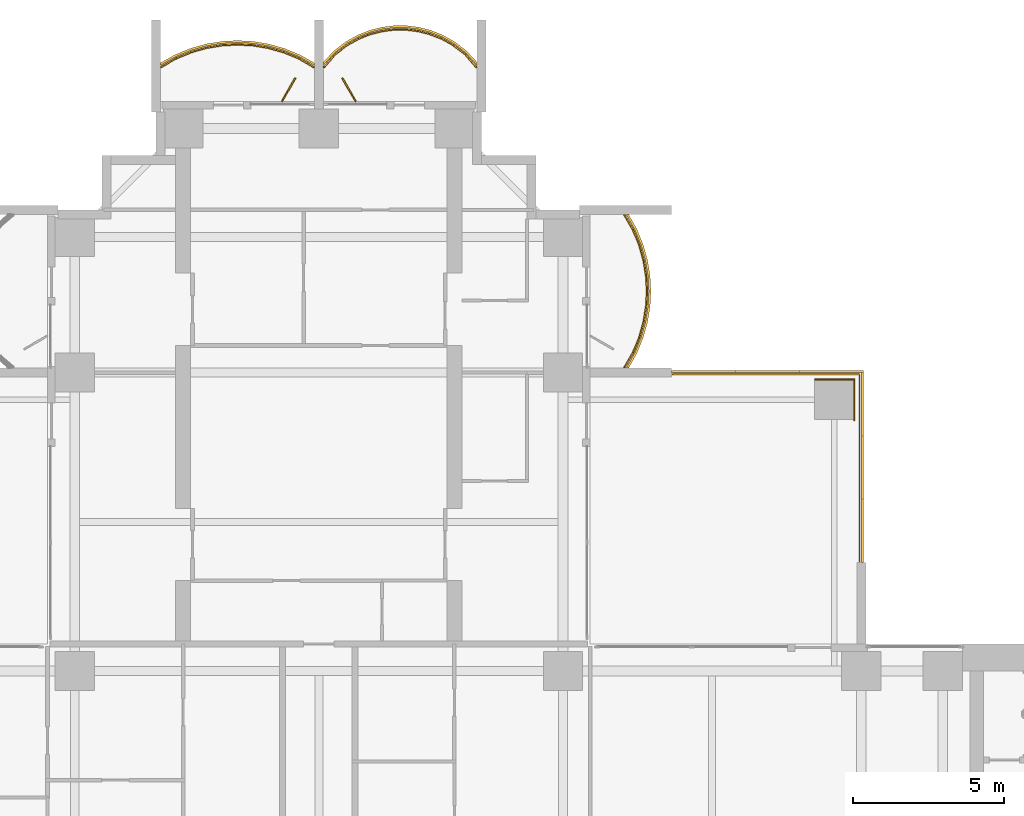
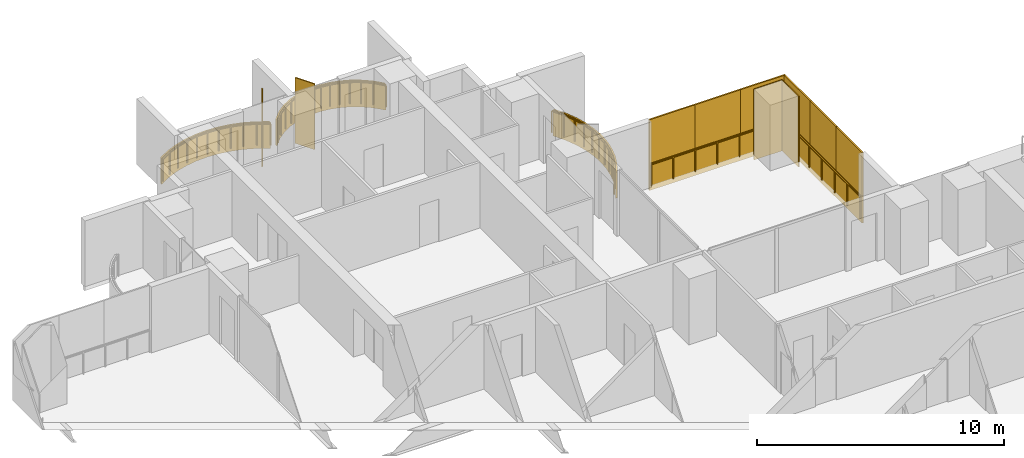
# One storey, part 21 of 21: 12 coverings, 4 railings, 2 shading devices.
"""IFC4 building model written with IfcOpenShell, lengths in metres."""

from ifc_helpers import new_model, si_unit, direction, frame, origin, origin_2d, place, context, subcontext, project, spatial, polyline, rectangle, outline, extrude, material, layer, layer_set, type_object, element, save


model = new_model("IFC4")

# Units and contexts
model_context = context("Model", 3, precision=1e-05, world=origin(), true_north=direction((0.0, 1.0)))
body_context = subcontext(model_context, "Body", "Model", "MODEL_VIEW")
ifc_project = project(units=[si_unit("LENGTHUNIT", "METRE"), si_unit("AREAUNIT", "SQUARE_METRE"), si_unit("VOLUMEUNIT", "CUBIC_METRE"), si_unit("PLANEANGLEUNIT", "RADIAN"), si_unit("MASSUNIT", "GRAM", prefix="KILO")], contexts=[model_context])

# Site, building, storey
site_placement = place(None, origin())
site = spatial("IfcSite", under=ifc_project, at=site_placement, CompositionType="ELEMENT")
building_placement = place(site_placement, origin())
building = spatial("IfcBuilding", under=site, at=building_placement, Name="Perihelion Cross Residences", CompositionType="ELEMENT")
storey_placement = place(building_placement, frame((0.0, 0.0, 40.0)))
storey = spatial("IfcBuildingStorey", under=building, at=storey_placement, Name="L06", CompositionType="ELEMENT", Elevation=40.0)

# Coverings
ifc_material_1 = material(Name="Bronze anodised aluminium", Category="aluminium")
ifc_layer_1 = layer(ifc_material_1, 0.070068359375)
ifc_layer_set_1 = layer_set([ifc_layer_1], Name="Balcony fascia 1300")
covering_type_1 = type_object("IfcCoveringType", Name="Balcony fascia 1300", PredefinedType="CLADDING", material=ifc_layer_set_1)
covering_1_placement = place(storey_placement, frame((0.0, 0.0, -0.199951171875)))
element("IfcCovering", 1, at=covering_1_placement, inside=storey, type_object=covering_type_1, Name="Fascia BF1 L06 north side east bay 2", PredefinedType="CLADDING", context=body_context, shape_type="SweptSolid", body=[
    extrude(outline(polyline([(10.54833984375, 18.629638671875), (10.7607421875, 19.147216796875), (10.906494140625, 19.664794921875), (10.991943359375, 20.182373046875), (11.02001953125, 20.699951171875), (10.991943359375, 21.217529296875), (10.906494140625, 21.735107421875), (10.7607421875, 22.2529296875), (10.54833984375, 22.7705078125), (10.2802734375, 23.25), (10.199951171875, 23.25), (10.4853515625, 22.739990234375), (10.694580078125, 22.22998046875), (10.838134765625, 21.719970703125), (10.92236328125, 21.2099609375), (10.949951171875, 20.699951171875), (10.92236328125, 20.18994140625), (10.838134765625, 19.679931640625), (10.694580078125, 19.169921875), (10.4853515625, 18.659912109375), (10.199951171875, 18.14990234375), (10.2802734375, 18.14990234375), (10.54833984375, 18.629638671875)])), origin(), (0.0, 0.0, 1.0), 1.300048828125),
])
covering_2_placement = place(storey_placement, frame((0.0, 0.0, -0.199951171875)))
element("IfcCovering", 2, at=covering_2_placement, inside=storey, type_object=covering_type_1, Name="Fascia BF1 L06 north tip north bay 1", PredefinedType="CLADDING", context=body_context, shape_type="SweptSolid", body=[
    extrude(outline(polyline([(4.90478515625, 28.674072265625), (4.50390625, 28.982666015625), (4.10302734375, 29.20654296875), (3.7021484375, 29.364013671875), (3.30126953125, 29.464599609375), (2.900390625, 29.513916015625), (2.49951171875, 29.513916015625), (2.0986328125, 29.464599609375), (1.69775390625, 29.364013671875), (1.296875, 29.20654296875), (0.89599609375, 28.982666015625), (0.4951171875, 28.674072265625), (0.14990234375, 28.302734375), (0.14990234375, 28.199951171875), (0.542236328125, 28.622314453125), (0.9345703125, 28.924072265625), (1.326904296875, 29.143310546875), (1.71923828125, 29.29736328125), (2.111572265625, 29.39599609375), (2.50390625, 29.444091796875), (2.896240234375, 29.444091796875), (3.28857421875, 29.39599609375), (3.6806640625, 29.29736328125), (4.072998046875, 29.143310546875), (4.46533203125, 28.924072265625), (4.857666015625, 28.622314453125), (5.25, 28.199951171875), (5.25, 28.302734375), (4.90478515625, 28.674072265625)])), origin(), (0.0, 0.0, 1.0), 1.300048828125),
])
covering_3_placement = place(storey_placement, frame((0.0, 0.0, -0.199951171875)))
element("IfcCovering", 3, at=covering_3_placement, inside=storey, type_object=covering_type_1, Name="Fascia BF1 L06 north tip north bay 2", PredefinedType="CLADDING", context=body_context, shape_type="SweptSolid", body=[
    extrude(outline(polyline([(-0.629638671875, 28.54833984375), (-1.147216796875, 28.7607421875), (-1.664794921875, 28.906494140625), (-2.182373046875, 28.991943359375), (-2.699951171875, 29.02001953125), (-3.217529296875, 28.991943359375), (-3.735107421875, 28.906494140625), (-4.2529296875, 28.7607421875), (-4.7705078125, 28.54833984375), (-5.25, 28.2802734375), (-5.25, 28.199951171875), (-4.739990234375, 28.4853515625), (-4.22998046875, 28.694580078125), (-3.719970703125, 28.838134765625), (-3.2099609375, 28.92236328125), (-2.699951171875, 28.949951171875), (-2.18994140625, 28.92236328125), (-1.679931640625, 28.838134765625), (-1.169921875, 28.694580078125), (-0.659912109375, 28.4853515625), (-0.14990234375, 28.199951171875), (-0.14990234375, 28.2802734375), (-0.629638671875, 28.54833984375)])), origin(), (0.0, 0.0, 1.0), 1.300048828125),
])

# Railings
ifc_material_2 = material(Name="Bronze anodised aluminium", Category="aluminium")
railing_type = type_object("IfcRailingType", Name="Balcony guard 1100", PredefinedType="GUARDRAIL", material=ifc_material_2)
railing_1_placement = place(storey_placement, frame((10.139892578125, 18.175048828125, 0.0)))
element("IfcRailing", 4, at=railing_1_placement, inside=storey, type_object=railing_type, Name="Guard GU1 L06 north side east bay 2 balcony", PredefinedType="GUARDRAIL", context=body_context, shape_type="SweptSolid", body=[
    extrude(rectangle(XDim=0.048095703125, YDim=0.048095703125, at=origin_2d()), frame((0.0, 0.0, 1.076171875), z_axis=(0.507266632806, 0.861789164031, 0.0), x_axis=(-0.861789164031, 0.507266632806, 0.0)), (0.0, 0.0, 1.0), 0.562744140625),
    extrude(rectangle(XDim=0.048095703125, YDim=0.048095703125, at=origin_2d()), frame((0.285400390625, 0.48486328125, 1.076171875), z_axis=(0.379546636342, 0.925172605972, 0.0), x_axis=(-0.925172605972, 0.379546636342, 0.0)), (0.0, 0.0, 1.0), 0.55126953125),
    extrude(rectangle(XDim=0.048095703125, YDim=0.048095703125, at=origin_2d()), frame((0.49462890625, 0.994873046875, 1.076171875), z_axis=(0.271372618732, 0.962474364231, 0.0), x_axis=(-0.962474364231, 0.271372618732, 0.0)), (0.0, 0.0, 1.0), 0.52978515625),
    extrude(rectangle(XDim=0.048095703125, YDim=0.048095703125, at=origin_2d()), frame((0.638427734375, 1.5048828125, 1.076171875), z_axis=(0.162483799314, 0.986711211531, 0.0), x_axis=(-0.986711211531, 0.162483799314, 0.0)), (0.0, 0.0, 1.0), 0.516845703125),
    extrude(rectangle(XDim=0.048095703125, YDim=0.048095703125, at=origin_2d()), frame((0.722412109375, 2.014892578125, 1.076171875), z_axis=(0.05401390175, 0.998540183677, 0.0), x_axis=(-0.998540183677, 0.05401390175, 0.0)), (0.0, 0.0, 1.0), 0.5107421875),
    extrude(rectangle(XDim=0.048095703125, YDim=0.048095703125, at=origin_2d()), frame((0.75, 2.52490234375, 1.076171875), z_axis=(-0.05401390175, 0.998540183677, 0.0), x_axis=(-0.998540183677, -0.05401390175, 0.0)), (0.0, 0.0, 1.0), 0.5107421875),
    extrude(rectangle(XDim=0.048095703125, YDim=0.048095703125, at=origin_2d()), frame((0.722412109375, 3.034912109375, 1.076171875), z_axis=(-0.162483799314, 0.986711211531, 0.0), x_axis=(-0.986711211531, -0.162483799314, 0.0)), (0.0, 0.0, 1.0), 0.516845703125),
    extrude(rectangle(XDim=0.048095703125, YDim=0.048095703125, at=origin_2d()), frame((0.638427734375, 3.544921875, 1.076171875), z_axis=(-0.271372618732, 0.962474364231, 0.0), x_axis=(-0.962474364231, -0.271372618732, 0.0)), (0.0, 0.0, 1.0), 0.52978515625),
    extrude(rectangle(XDim=0.048095703125, YDim=0.048095703125, at=origin_2d()), frame((0.49462890625, 4.054931640625, 1.076171875), z_axis=(-0.379546636342, 0.925172605972, 0.0), x_axis=(-0.925172605972, -0.379546636342, 0.0)), (0.0, 0.0, 1.0), 0.55126953125),
    extrude(rectangle(XDim=0.048095703125, YDim=0.048095703125, at=origin_2d()), frame((0.285400390625, 4.56494140625, 1.076171875), z_axis=(-0.507076995033, 0.861900760591, 0.0), x_axis=(-0.861900760591, -0.507076995033, 0.0)), (0.0, 0.0, 1.0), 0.562744140625),
    extrude(rectangle(XDim=0.0419921875, YDim=0.0419921875, at=origin_2d()), origin(), (0.0, 0.0, 1.0), 1.052001953125),
    extrude(rectangle(XDim=0.0419921875, YDim=0.0419921875, at=origin_2d()), frame((0.285400390625, 0.48486328125, 0.0)), (0.0, 0.0, 1.0), 1.052001953125),
    extrude(rectangle(XDim=0.0419921875, YDim=0.0419921875, at=origin_2d()), frame((0.49462890625, 0.994873046875, 0.0)), (0.0, 0.0, 1.0), 1.052001953125),
    extrude(rectangle(XDim=0.0419921875, YDim=0.0419921875, at=origin_2d()), frame((0.638427734375, 1.5048828125, 0.0)), (0.0, 0.0, 1.0), 1.052001953125),
    extrude(rectangle(XDim=0.0419921875, YDim=0.0419921875, at=origin_2d()), frame((0.722412109375, 2.014892578125, 0.0)), (0.0, 0.0, 1.0), 1.052001953125),
    extrude(rectangle(XDim=0.0419921875, YDim=0.0419921875, at=origin_2d()), frame((0.75, 2.52490234375, 0.0)), (0.0, 0.0, 1.0), 1.052001953125),
    extrude(rectangle(XDim=0.0419921875, YDim=0.0419921875, at=origin_2d()), frame((0.722412109375, 3.034912109375, 0.0)), (0.0, 0.0, 1.0), 1.052001953125),
    extrude(rectangle(XDim=0.0419921875, YDim=0.0419921875, at=origin_2d()), frame((0.638427734375, 3.544921875, 0.0)), (0.0, 0.0, 1.0), 1.052001953125),
    extrude(rectangle(XDim=0.0419921875, YDim=0.0419921875, at=origin_2d()), frame((0.49462890625, 4.054931640625, 0.0)), (0.0, 0.0, 1.0), 1.052001953125),
    extrude(rectangle(XDim=0.0419921875, YDim=0.0419921875, at=origin_2d()), frame((0.285400390625, 4.56494140625, 0.0)), (0.0, 0.0, 1.0), 1.052001953125),
    extrude(rectangle(XDim=0.0419921875, YDim=0.0419921875, at=origin_2d()), frame((0.0, 5.050048828125, 0.0)), (0.0, 0.0, 1.0), 1.052001953125),
])
railing_2_placement = place(storey_placement, frame((5.22509765625, 28.139892578125, 0.0)))
element("IfcRailing", 5, at=railing_2_placement, inside=storey, type_object=railing_type, Name="Guard GU1 L06 north tip north bay 1 balcony", PredefinedType="GUARDRAIL", context=body_context, shape_type="SweptSolid", body=[
    extrude(rectangle(XDim=0.048095703125, YDim=0.048095703125, at=origin_2d()), frame((0.0, 0.0, 1.076171875), z_axis=(-0.656340655493, 0.754464673757, 0.0), x_axis=(-0.754464673757, -0.656340655493, 0.0)), (0.0, 0.0, 1.0), 0.559814453125),
    extrude(rectangle(XDim=0.048095703125, YDim=0.048095703125, at=origin_2d()), frame((-0.367431640625, 0.42236328125, 1.076171875), z_axis=(-0.792660660899, 0.60966308455, 0.0), x_axis=(-0.60966308455, -0.792660660899, 0.0)), (0.0, 0.0, 1.0), 0.494873046875),
    extrude(rectangle(XDim=0.048095703125, YDim=0.048095703125, at=origin_2d()), frame((-0.759765625, 0.72412109375, 1.076171875), z_axis=(-0.872950285698, 0.487809182674, 0.0), x_axis=(-0.487809182674, -0.872950285698, 0.0)), (0.0, 0.0, 1.0), 0.449462890625),
    extrude(rectangle(XDim=0.048095703125, YDim=0.048095703125, at=origin_2d()), frame((-1.152099609375, 0.943359375, 1.076171875), z_axis=(-0.930814842219, 0.365491079925, 0.0), x_axis=(-0.365491079925, -0.930814842219, 0.0)), (0.0, 0.0, 1.0), 0.42138671875),
    extrude(rectangle(XDim=0.048095703125, YDim=0.048095703125, at=origin_2d()), frame((-1.54443359375, 1.097412109375, 1.076171875), z_axis=(-0.969786252666, 0.243956193074, 0.0), x_axis=(-0.243956193074, -0.969786252666, 0.0)), (0.0, 0.0, 1.0), 0.404296875),
    extrude(rectangle(XDim=0.048095703125, YDim=0.048095703125, at=origin_2d()), frame((-1.9365234375, 1.196044921875, 1.076171875), z_axis=(-0.992569651699, 0.121677797999, 0.0), x_axis=(-0.121677797999, -0.992569651699, 0.0)), (0.0, 0.0, 1.0), 0.395263671875),
    extrude(rectangle(XDim=0.048095703125, YDim=0.048095703125, at=origin_2d()), frame((-2.328857421875, 1.244140625, 1.076171875), z_axis=(-1.0, 0.0, 0.0), x_axis=(0.0, -1.0, 0.0)), (0.0, 0.0, 1.0), 0.392333984375),
    extrude(rectangle(XDim=0.048095703125, YDim=0.048095703125, at=origin_2d()), frame((-2.72119140625, 1.244140625, 1.076171875), z_axis=(-0.992569651699, -0.121677797999, 0.0), x_axis=(0.121677797999, -0.992569651699, 0.0)), (0.0, 0.0, 1.0), 0.395263671875),
    extrude(rectangle(XDim=0.048095703125, YDim=0.048095703125, at=origin_2d()), frame((-3.113525390625, 1.196044921875, 1.076171875), z_axis=(-0.969822159145, -0.243813411509, 0.0), x_axis=(0.243813411509, -0.969822159145, 0.0)), (0.0, 0.0, 1.0), 0.404541015625),
    extrude(rectangle(XDim=0.048095703125, YDim=0.048095703125, at=origin_2d()), frame((-3.505859375, 1.097412109375, 1.076171875), z_axis=(-0.930814842219, -0.365491079925, 0.0), x_axis=(0.365491079925, -0.930814842219, 0.0)), (0.0, 0.0, 1.0), 0.42138671875),
    extrude(rectangle(XDim=0.048095703125, YDim=0.048095703125, at=origin_2d()), frame((-3.898193359375, 0.943359375, 1.076171875), z_axis=(-0.872950285698, -0.487809182674, 0.0), x_axis=(0.487809182674, -0.872950285698, 0.0)), (0.0, 0.0, 1.0), 0.449462890625),
    extrude(rectangle(XDim=0.048095703125, YDim=0.048095703125, at=origin_2d()), frame((-4.29052734375, 0.72412109375, 1.076171875), z_axis=(-0.792660660899, -0.60966308455, 0.0), x_axis=(0.60966308455, -0.792660660899, 0.0)), (0.0, 0.0, 1.0), 0.494873046875),
    extrude(rectangle(XDim=0.048095703125, YDim=0.048095703125, at=origin_2d()), frame((-4.682861328125, 0.42236328125, 1.076171875), z_axis=(-0.656092309534, -0.754680648599, 0.0), x_axis=(0.754680648599, -0.656092309534, 0.0)), (0.0, 0.0, 1.0), 0.5595703125),
    extrude(rectangle(XDim=0.0419921875, YDim=0.0419921875, at=origin_2d()), origin(), (0.0, 0.0, 1.0), 1.052001953125),
    extrude(rectangle(XDim=0.0419921875, YDim=0.0419921875, at=origin_2d()), frame((-0.367431640625, 0.42236328125, 0.0)), (0.0, 0.0, 1.0), 1.052001953125),
    extrude(rectangle(XDim=0.0419921875, YDim=0.0419921875, at=origin_2d()), frame((-0.759765625, 0.72412109375, 0.0)), (0.0, 0.0, 1.0), 1.052001953125),
    extrude(rectangle(XDim=0.0419921875, YDim=0.0419921875, at=origin_2d()), frame((-1.152099609375, 0.943359375, 0.0)), (0.0, 0.0, 1.0), 1.052001953125),
    extrude(rectangle(XDim=0.0419921875, YDim=0.0419921875, at=origin_2d()), frame((-1.54443359375, 1.097412109375, 0.0)), (0.0, 0.0, 1.0), 1.052001953125),
    extrude(rectangle(XDim=0.0419921875, YDim=0.0419921875, at=origin_2d()), frame((-1.9365234375, 1.196044921875, 0.0)), (0.0, 0.0, 1.0), 1.052001953125),
    extrude(rectangle(XDim=0.0419921875, YDim=0.0419921875, at=origin_2d()), frame((-2.328857421875, 1.244140625, 0.0)), (0.0, 0.0, 1.0), 1.052001953125),
    extrude(rectangle(XDim=0.0419921875, YDim=0.0419921875, at=origin_2d()), frame((-2.72119140625, 1.244140625, 0.0)), (0.0, 0.0, 1.0), 1.052001953125),
    extrude(rectangle(XDim=0.0419921875, YDim=0.0419921875, at=origin_2d()), frame((-3.113525390625, 1.196044921875, 0.0)), (0.0, 0.0, 1.0), 1.052001953125),
    extrude(rectangle(XDim=0.0419921875, YDim=0.0419921875, at=origin_2d()), frame((-3.505859375, 1.097412109375, 0.0)), (0.0, 0.0, 1.0), 1.052001953125),
    extrude(rectangle(XDim=0.0419921875, YDim=0.0419921875, at=origin_2d()), frame((-3.898193359375, 0.943359375, 0.0)), (0.0, 0.0, 1.0), 1.052001953125),
    extrude(rectangle(XDim=0.0419921875, YDim=0.0419921875, at=origin_2d()), frame((-4.29052734375, 0.72412109375, 0.0)), (0.0, 0.0, 1.0), 1.052001953125),
    extrude(rectangle(XDim=0.0419921875, YDim=0.0419921875, at=origin_2d()), frame((-4.682861328125, 0.42236328125, 0.0)), (0.0, 0.0, 1.0), 1.052001953125),
    extrude(rectangle(XDim=0.0419921875, YDim=0.0419921875, at=origin_2d()), frame((-5.050048828125, 0.0, 0.0)), (0.0, 0.0, 1.0), 1.052001953125),
])
railing_3_placement = place(storey_placement, frame((-0.175048828125, 28.139892578125, 0.0)))
element("IfcRailing", 6, at=railing_3_placement, inside=storey, type_object=railing_type, Name="Guard GU1 L06 north tip north bay 2 balcony", PredefinedType="GUARDRAIL", context=body_context, shape_type="SweptSolid", body=[
    extrude(rectangle(XDim=0.048095703125, YDim=0.048095703125, at=origin_2d()), frame((0.0, 0.0, 1.076171875), z_axis=(-0.861789164031, 0.507266632806, 0.0), x_axis=(-0.507266632806, -0.861789164031, 0.0)), (0.0, 0.0, 1.0), 0.562744140625),
    extrude(rectangle(XDim=0.048095703125, YDim=0.048095703125, at=origin_2d()), frame((-0.48486328125, 0.285400390625, 1.076171875), z_axis=(-0.925172605972, 0.379546636342, 0.0), x_axis=(-0.379546636342, -0.925172605972, 0.0)), (0.0, 0.0, 1.0), 0.55126953125),
    extrude(rectangle(XDim=0.048095703125, YDim=0.048095703125, at=origin_2d()), frame((-0.994873046875, 0.49462890625, 1.076171875), z_axis=(-0.962474364231, 0.271372618732, 0.0), x_axis=(-0.271372618732, -0.962474364231, 0.0)), (0.0, 0.0, 1.0), 0.52978515625),
    extrude(rectangle(XDim=0.048095703125, YDim=0.048095703125, at=origin_2d()), frame((-1.5048828125, 0.638427734375, 1.076171875), z_axis=(-0.986711211531, 0.162483799314, 0.0), x_axis=(-0.162483799314, -0.986711211531, 0.0)), (0.0, 0.0, 1.0), 0.516845703125),
    extrude(rectangle(XDim=0.048095703125, YDim=0.048095703125, at=origin_2d()), frame((-2.014892578125, 0.722412109375, 1.076171875), z_axis=(-0.998540183677, 0.05401390175, 0.0), x_axis=(-0.05401390175, -0.998540183677, 0.0)), (0.0, 0.0, 1.0), 0.5107421875),
    extrude(rectangle(XDim=0.048095703125, YDim=0.048095703125, at=origin_2d()), frame((-2.52490234375, 0.75, 1.076171875), z_axis=(-0.998540183677, -0.05401390175, 0.0), x_axis=(0.05401390175, -0.998540183677, 0.0)), (0.0, 0.0, 1.0), 0.5107421875),
    extrude(rectangle(XDim=0.048095703125, YDim=0.048095703125, at=origin_2d()), frame((-3.034912109375, 0.722412109375, 1.076171875), z_axis=(-0.986711211531, -0.162483799314, 0.0), x_axis=(0.162483799314, -0.986711211531, 0.0)), (0.0, 0.0, 1.0), 0.516845703125),
    extrude(rectangle(XDim=0.048095703125, YDim=0.048095703125, at=origin_2d()), frame((-3.544921875, 0.638427734375, 1.076171875), z_axis=(-0.962474364231, -0.271372618732, 0.0), x_axis=(0.271372618732, -0.962474364231, 0.0)), (0.0, 0.0, 1.0), 0.52978515625),
    extrude(rectangle(XDim=0.048095703125, YDim=0.048095703125, at=origin_2d()), frame((-4.054931640625, 0.49462890625, 1.076171875), z_axis=(-0.925172605972, -0.379546636342, 0.0), x_axis=(0.379546636342, -0.925172605972, 0.0)), (0.0, 0.0, 1.0), 0.55126953125),
    extrude(rectangle(XDim=0.048095703125, YDim=0.048095703125, at=origin_2d()), frame((-4.56494140625, 0.285400390625, 1.076171875), z_axis=(-0.861900760591, -0.507076995033, 0.0), x_axis=(0.507076995033, -0.861900760591, 0.0)), (0.0, 0.0, 1.0), 0.562744140625),
    extrude(rectangle(XDim=0.0419921875, YDim=0.0419921875, at=origin_2d()), origin(), (0.0, 0.0, 1.0), 1.052001953125),
    extrude(rectangle(XDim=0.0419921875, YDim=0.0419921875, at=origin_2d()), frame((-0.48486328125, 0.285400390625, 0.0)), (0.0, 0.0, 1.0), 1.052001953125),
    extrude(rectangle(XDim=0.0419921875, YDim=0.0419921875, at=origin_2d()), frame((-0.994873046875, 0.49462890625, 0.0)), (0.0, 0.0, 1.0), 1.052001953125),
    extrude(rectangle(XDim=0.0419921875, YDim=0.0419921875, at=origin_2d()), frame((-1.5048828125, 0.638427734375, 0.0)), (0.0, 0.0, 1.0), 1.052001953125),
    extrude(rectangle(XDim=0.0419921875, YDim=0.0419921875, at=origin_2d()), frame((-2.014892578125, 0.722412109375, 0.0)), (0.0, 0.0, 1.0), 1.052001953125),
    extrude(rectangle(XDim=0.0419921875, YDim=0.0419921875, at=origin_2d()), frame((-2.52490234375, 0.75, 0.0)), (0.0, 0.0, 1.0), 1.052001953125),
    extrude(rectangle(XDim=0.0419921875, YDim=0.0419921875, at=origin_2d()), frame((-3.034912109375, 0.722412109375, 0.0)), (0.0, 0.0, 1.0), 1.052001953125),
    extrude(rectangle(XDim=0.0419921875, YDim=0.0419921875, at=origin_2d()), frame((-3.544921875, 0.638427734375, 0.0)), (0.0, 0.0, 1.0), 1.052001953125),
    extrude(rectangle(XDim=0.0419921875, YDim=0.0419921875, at=origin_2d()), frame((-4.054931640625, 0.49462890625, 0.0)), (0.0, 0.0, 1.0), 1.052001953125),
    extrude(rectangle(XDim=0.0419921875, YDim=0.0419921875, at=origin_2d()), frame((-4.56494140625, 0.285400390625, 0.0)), (0.0, 0.0, 1.0), 1.052001953125),
    extrude(rectangle(XDim=0.0419921875, YDim=0.0419921875, at=origin_2d()), frame((-5.050048828125, 0.0, 0.0)), (0.0, 0.0, 1.0), 1.052001953125),
])
railing_4_placement = place(storey_placement, frame((11.739990234375, 17.93994140625, 0.0)))
element("IfcRailing", 7, at=railing_4_placement, inside=storey, type_object=railing_type, Name="Guard GU1 L06 pocket north-east 1", PredefinedType="GUARDRAIL", context=body_context, shape_type="SweptSolid", body=[
    extrude(rectangle(XDim=0.048095703125, YDim=0.048095703125, at=origin_2d()), frame((0.0, 0.0, 1.076171875), z_axis=(1.0, 0.0, 0.0), x_axis=(0.0, 1.0, 0.0)), (0.0, 0.0, 1.0), 6.199951171875),
    extrude(rectangle(XDim=0.048095703125, YDim=0.048095703125, at=origin_2d()), frame((6.199951171875, 0.0, 1.076171875), z_axis=(0.0, -1.0, 0.0), x_axis=(1.0, 0.0, 0.0)), (0.0, 0.0, 1.0), 6.199951171875),
    extrude(rectangle(XDim=0.0419921875, YDim=0.0419921875, at=origin_2d()), origin(), (0.0, 0.0, 1.0), 1.052001953125),
    extrude(rectangle(XDim=0.0419921875, YDim=0.0419921875, at=origin_2d()), frame((1.033203125, 0.0, 0.0)), (0.0, 0.0, 1.0), 1.052001953125),
    extrude(rectangle(XDim=0.0419921875, YDim=0.0419921875, at=origin_2d()), frame((2.066650390625, 0.0, 0.0)), (0.0, 0.0, 1.0), 1.052001953125),
    extrude(rectangle(XDim=0.0419921875, YDim=0.0419921875, at=origin_2d()), frame((3.10009765625, 0.0, 0.0)), (0.0, 0.0, 1.0), 1.052001953125),
    extrude(rectangle(XDim=0.0419921875, YDim=0.0419921875, at=origin_2d()), frame((4.13330078125, 0.0, 0.0)), (0.0, 0.0, 1.0), 1.052001953125),
    extrude(rectangle(XDim=0.0419921875, YDim=0.0419921875, at=origin_2d()), frame((5.16650390625, 0.0, 0.0)), (0.0, 0.0, 1.0), 1.052001953125),
    extrude(rectangle(XDim=0.0419921875, YDim=0.0419921875, at=origin_2d()), frame((6.199951171875, 0.0, 0.0)), (0.0, 0.0, 1.0), 1.052001953125),
    extrude(rectangle(XDim=0.0419921875, YDim=0.0419921875, at=origin_2d()), frame((6.199951171875, -1.033203125, 0.0)), (0.0, 0.0, 1.0), 1.052001953125),
    extrude(rectangle(XDim=0.0419921875, YDim=0.0419921875, at=origin_2d()), frame((6.199951171875, -2.066650390625, 0.0)), (0.0, 0.0, 1.0), 1.052001953125),
    extrude(rectangle(XDim=0.0419921875, YDim=0.0419921875, at=origin_2d()), frame((6.199951171875, -3.10009765625, 0.0)), (0.0, 0.0, 1.0), 1.052001953125),
    extrude(rectangle(XDim=0.0419921875, YDim=0.0419921875, at=origin_2d()), frame((6.199951171875, -4.13330078125, 0.0)), (0.0, 0.0, 1.0), 1.052001953125),
    extrude(rectangle(XDim=0.0419921875, YDim=0.0419921875, at=origin_2d()), frame((6.199951171875, -5.16650390625, 0.0)), (0.0, 0.0, 1.0), 1.052001953125),
    extrude(rectangle(XDim=0.0419921875, YDim=0.0419921875, at=origin_2d()), frame((6.199951171875, -6.199951171875, 0.0)), (0.0, 0.0, 1.0), 1.052001953125),
])

# Coverings
ifc_material_3 = material(Name="Bronze anodised aluminium", Category="aluminium")
ifc_layer_2 = layer(ifc_material_3, 0.0400390625)
ifc_layer_set_2 = layer_set([ifc_layer_2], Name="Bronze column casing 40")
covering_type_2 = type_object("IfcCoveringType", Name="Bronze column casing 40", PredefinedType="CLADDING", material=ifc_layer_set_2)
covering_4_placement = place(storey_placement, frame((17.77001953125, 17.10009765625, -0.25), z_axis=(0.0, 0.0, 1.0), x_axis=(1.0, 0.0, 0.0)))
element("IfcCovering", 8, at=covering_4_placement, inside=storey, type_object=covering_type_2, Name="Cladding CC1 L06 casing east-west no. 4", PredefinedType="CLADDING", context=body_context, shape_type="SweptSolid", body=[
    extrude(rectangle(XDim=0.0400390625, YDim=1.3798828125, at=origin_2d()), origin(), (0.0, 0.0, 1.0), 3.5),
])
covering_5_placement = place(storey_placement, frame((17.10009765625, 17.77001953125, -0.25), z_axis=(0.0, 0.0, 1.0), x_axis=(1.0, 0.0, 0.0)))
element("IfcCovering", 9, at=covering_5_placement, inside=storey, type_object=covering_type_2, Name="Cladding CC1 L06 casing north-south no. 4", PredefinedType="CLADDING", context=body_context, shape_type="SweptSolid", body=[
    extrude(rectangle(XDim=1.300048828125, YDim=0.0400390625, at=origin_2d()), origin(), (0.0, 0.0, 1.0), 3.5),
])

# Shading devices
ifc_material_4 = material(Name="Bronze anodised aluminium", Category="aluminium")
ifc_layer_3 = layer(ifc_material_4, 0.050048828125)
ifc_layer_set_3 = layer_set([ifc_layer_3], Name="Bronze fin 900")
shading_device_type = type_object("IfcShadingDeviceType", Name="Bronze fin 900", PredefinedType="USERDEFINED", material=ifc_layer_set_3)
for number, where, z_axis, x_axis, name in (
    (10, (1.0, 27.3896484375, 0.0), (0.0, 0.0, 1.0), (-0.5, 0.866025403784, 0.0), "Fin FN1 L06 north tip north bay 1"),
    (11, (-1.0, 27.3896484375, 0.0), (0.0, 0.0, 1.0), (0.5, 0.866025403784, 0.0), "Fin FN1 L06 north tip north bay 2"),
):
    element("IfcShadingDevice", number, at=place(storey_placement, frame(where, z_axis=z_axis, x_axis=x_axis)), inside=storey, type_object=shading_device_type, Name=name, ObjectType="FIN", PredefinedType="USERDEFINED", context=body_context, shape_type="SweptSolid", body=[
        extrude(rectangle(XDim=0.89990234375, YDim=0.050048828125, at=origin_2d()), origin(), (0.0, 0.0, 1.0), 3.25),
    ])

# Coverings
ifc_material_5 = material(Name="Bronze anodised aluminium", Category="aluminium")
ifc_layer_4 = layer(ifc_material_5, 0.070068359375)
ifc_layer_set_4 = layer_set([ifc_layer_4], Name="Pocket fascia 1350")
covering_type_3 = type_object("IfcCoveringType", Name="Pocket fascia 1350", PredefinedType="CLADDING", material=ifc_layer_set_4)
covering_6_placement = place(storey_placement, frame((0.0, 0.0, -0.25)))
element("IfcCovering", 12, at=covering_6_placement, inside=storey, type_object=covering_type_3, Name="Fascia BF2 L06 pocket north-east 3", PredefinedType="CLADDING", context=body_context, shape_type="SweptSolid", body=[
    extrude(outline(polyline([(18.070068359375, 18.070068359375), (11.699951171875, 18.070068359375), (11.699951171875, 18.0), (18.0, 18.0), (18.0, 11.699951171875), (18.070068359375, 11.699951171875), (18.070068359375, 18.070068359375)])), origin(), (0.0, 0.0, 1.0), 1.35009765625),
])
ifc_material_6 = material(Name="Bronze perforated aluminium", Category="aluminium")
ifc_layer_5 = layer(ifc_material_6, 0.070068359375)
ifc_layer_set_5 = layer_set([ifc_layer_5], Name="Pocket solar screen, bronze perforated")
covering_type_4 = type_object("IfcCoveringType", Name="Pocket solar screen, bronze perforated", PredefinedType="CLADDING", material=ifc_layer_set_5)
covering_7_placement = place(storey_placement, frame((0.0, 0.0, 1.10009765625)))
element("IfcCovering", 13, at=covering_7_placement, inside=storey, type_object=covering_type_4, Name="Solar screen PS1 L06 pocket north-east no. 1", PredefinedType="CLADDING", context=body_context, shape_type="SweptSolid", body=[
    extrude(outline(polyline([(18.070068359375, 11.699951171875), (18.070068359375, 13.800048828125), (18.0, 13.800048828125), (18.0, 11.699951171875), (18.070068359375, 11.699951171875)])), origin(), (0.0, 0.0, 1.0), 2.14990234375),
])
covering_8_placement = place(storey_placement, frame((0.0, 0.0, 1.10009765625)))
element("IfcCovering", 14, at=covering_8_placement, inside=storey, type_object=covering_type_4, Name="Solar screen PS1 L06 pocket north-east no. 2", PredefinedType="CLADDING", context=body_context, shape_type="SweptSolid", body=[
    extrude(outline(polyline([(18.070068359375, 13.800048828125), (18.070068359375, 15.89990234375), (18.0, 15.89990234375), (18.0, 13.800048828125), (18.070068359375, 13.800048828125)])), origin(), (0.0, 0.0, 1.0), 2.14990234375),
])
covering_9_placement = place(storey_placement, frame((0.0, 0.0, 1.10009765625)))
element("IfcCovering", 15, at=covering_9_placement, inside=storey, type_object=covering_type_4, Name="Solar screen PS1 L06 pocket north-east no. 3", PredefinedType="CLADDING", context=body_context, shape_type="SweptSolid", body=[
    extrude(outline(polyline([(18.070068359375, 15.89990234375), (18.070068359375, 18.0), (18.0, 18.0), (18.0, 15.89990234375), (18.070068359375, 15.89990234375)])), origin(), (0.0, 0.0, 1.0), 2.14990234375),
])
covering_10_placement = place(storey_placement, frame((0.0, 0.0, 1.10009765625)))
element("IfcCovering", 16, at=covering_10_placement, inside=storey, type_object=covering_type_4, Name="Solar screen PS1 L06 pocket north-east no. 4", PredefinedType="CLADDING", context=body_context, shape_type="SweptSolid", body=[
    extrude(outline(polyline([(13.8232421875, 18.0), (13.8232421875, 18.070068359375), (11.699951171875, 18.070068359375), (11.699951171875, 18.0), (13.8232421875, 18.0)])), origin(), (0.0, 0.0, 1.0), 2.14990234375),
])
covering_11_placement = place(storey_placement, frame((0.0, 0.0, 1.10009765625)))
element("IfcCovering", 17, at=covering_11_placement, inside=storey, type_object=covering_type_4, Name="Solar screen PS1 L06 pocket north-east no. 5", PredefinedType="CLADDING", context=body_context, shape_type="SweptSolid", body=[
    extrude(outline(polyline([(15.94677734375, 18.0), (15.94677734375, 18.070068359375), (13.8232421875, 18.070068359375), (13.8232421875, 18.0), (15.94677734375, 18.0)])), origin(), (0.0, 0.0, 1.0), 2.14990234375),
])
covering_12_placement = place(storey_placement, frame((0.0, 0.0, 1.10009765625)))
element("IfcCovering", 18, at=covering_12_placement, inside=storey, type_object=covering_type_4, Name="Solar screen PS1 L06 pocket north-east no. 6", PredefinedType="CLADDING", context=body_context, shape_type="SweptSolid", body=[
    extrude(outline(polyline([(18.070068359375, 18.0), (18.070068359375, 18.070068359375), (15.94677734375, 18.070068359375), (15.94677734375, 18.0), (18.070068359375, 18.0)])), origin(), (0.0, 0.0, 1.0), 2.14990234375),
])

save(model, "model.ifc")
